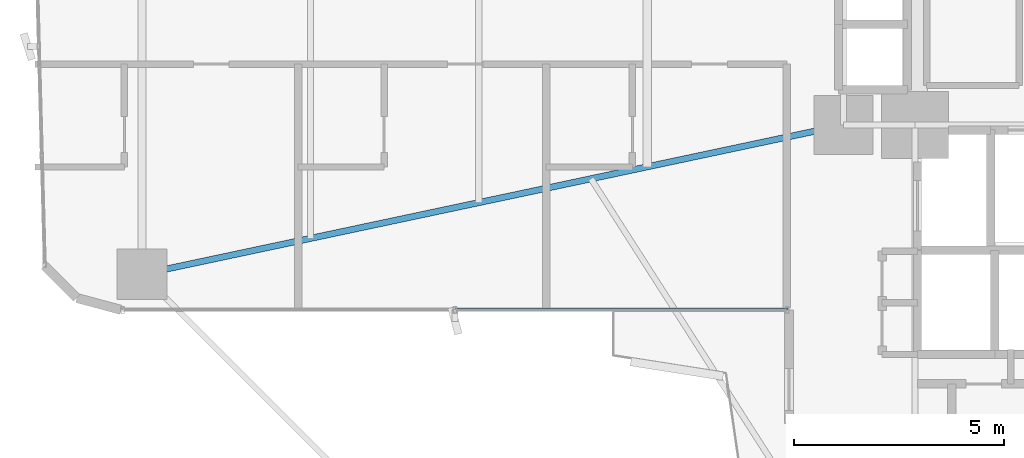
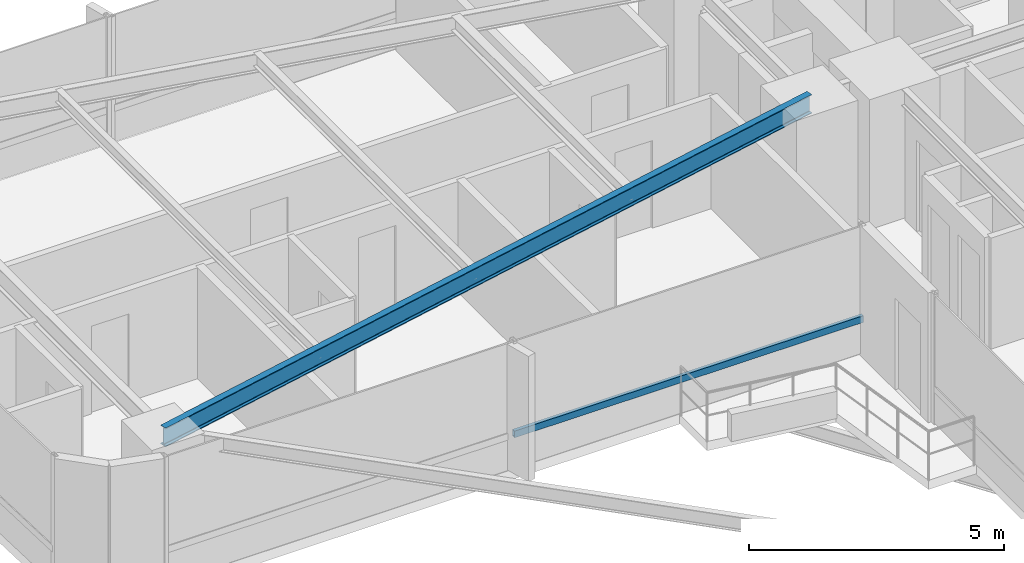
# One storey, part 7 of 25: 1 beam, 1 member, 1 element without a shape of its own.
"""IFC4 building model written with IfcOpenShell, lengths in metres."""

from ifc_helpers import new_model, si_unit, direction, frame, origin, origin_2d, place, context, subcontext, project, spatial, hollow_rectangle, i_section, extrude, source, transform, mapped, material, material_profile, profile_set, type_object, element, aggregate, save


model = new_model("IFC4")

# Units and contexts
model_context = context("Model", 3, precision=1e-05, world=origin(), true_north=direction((0.0, 1.0)))
body_context = subcontext(model_context, "Body", "Model", "MODEL_VIEW")
ifc_project = project(units=[si_unit("LENGTHUNIT", "METRE"), si_unit("AREAUNIT", "SQUARE_METRE"), si_unit("VOLUMEUNIT", "CUBIC_METRE"), si_unit("PLANEANGLEUNIT", "RADIAN"), si_unit("MASSUNIT", "GRAM", prefix="KILO")], contexts=[model_context])

# Site, building, storey
site_placement = place(None, origin())
site = spatial("IfcSite", under=ifc_project, at=site_placement, CompositionType="ELEMENT")
building_placement = place(site_placement, origin())
building = spatial("IfcBuilding", under=site, at=building_placement, Name="Sahyath Konkavel Grand Hotel", CompositionType="ELEMENT")
storey_placement = place(building_placement, frame((0.0, 0.0, 57.75)))
storey = spatial("IfcBuildingStorey", under=building, at=storey_placement, Name="L15", CompositionType="ELEMENT", Elevation=57.75)

# Beam
ifc_material_1 = material(Name="Steel E350", Category="steel")
ifc_material_profile_1 = material_profile(ifc_material_1, i_section(OverallWidth=0.14990234375, OverallDepth=0.449951171875, WebThickness=0.009521484375, FlangeThickness=0.017333984375, FilletRadius=0.014892578125, at=origin_2d()), Name="ISMB 450")
ifc_profile_set_1 = profile_set([ifc_material_profile_1], Name="Steel E350")
beam_type = type_object("IfcBeamType", Name="BM-ISMB450", PredefinedType="BEAM", material=ifc_profile_set_1)
shared_shape_1 = source(origin(), body_context, "Body", "SweptSolid", [
    extrude(i_section(OverallWidth=0.14990234375, OverallDepth=0.449951171875, WebThickness=0.009521484375, FlangeThickness=0.017333984375, FilletRadius=0.014892578125, at=origin_2d()), origin(), (0.0, 0.0, 1.0), 17.072998046875),
])
beam_placement = place(storey_placement, frame((-5.5, -2.39990234375, 2.885009765625), z_axis=(-0.978143257225, -0.20793212437, 0.0), x_axis=(0.20793212437, -0.978143257225, 0.0)))
element("IfcBeam", 1, at=beam_placement, inside=storey, type_object=beam_type, Name="L15 Cruciform Radial Girder WB", PredefinedType="BEAM", context=body_context, shape_type="MappedRepresentation", body=[
    mapped(shared_shape_1, transform((0.0, 0.0, 0.0), scale=1.0)),
])

# Curtain wall, member
ifc_material_2 = material(Name="Anodised Bronze Aluminium & Low-E Glazing", Category="aluminium")
curtain_wall_type = type_object("IfcCurtainWallType", Name="CW-ZONE1", PredefinedType="NOTDEFINED", material=ifc_material_2)
curtain_wall_placement = place(storey_placement, origin())
curtain_wall = element("IfcCurtainWall", 2, at=curtain_wall_placement, inside=storey, type_object=curtain_wall_type, Name="L15 Unitised Curtain Wall F23", PredefinedType="NOTDEFINED")
ifc_material_3 = material(Name="Anodised Bronze Aluminium", Category="aluminium")
ifc_material_profile_2 = material_profile(ifc_material_3, hollow_rectangle(XDim=0.080078125, YDim=0.159912109375, WallThickness=0.006103515625, at=origin_2d()), Name="RHS 160x80x6")
ifc_profile_set_2 = profile_set([ifc_material_profile_2], Name="Anodised Bronze Aluminium")
member_type = type_object("IfcMemberType", Name="CW-TRN-160", PredefinedType="USERDEFINED", material=ifc_profile_set_2)
shared_shape_2 = source(origin(), body_context, "Body", "SweptSolid", [
    extrude(hollow_rectangle(XDim=0.080078125, YDim=0.159912109375, WallThickness=0.006103515625, at=origin_2d()), origin(), (0.0, 0.0, 1.0), 7.909912109375),
])
member_placement = place(storey_placement, frame((-14.75, -6.800048828125, 0.85009765625), z_axis=(1.0, 0.0, 0.0), x_axis=(0.0, 1.0, 0.0)))
member = element("IfcMember", 3, at=member_placement, type_object=member_type, Name="L15 Curtain Wall Transom F23-1-spandrel", ObjectType="TRANSOM", PredefinedType="USERDEFINED", context=body_context, shape_type="MappedRepresentation", body=[
    mapped(shared_shape_2, transform((0.0, 0.0, 0.0), scale=1.0)),
])
aggregate(curtain_wall, [member])

save(model, "model.ifc")
